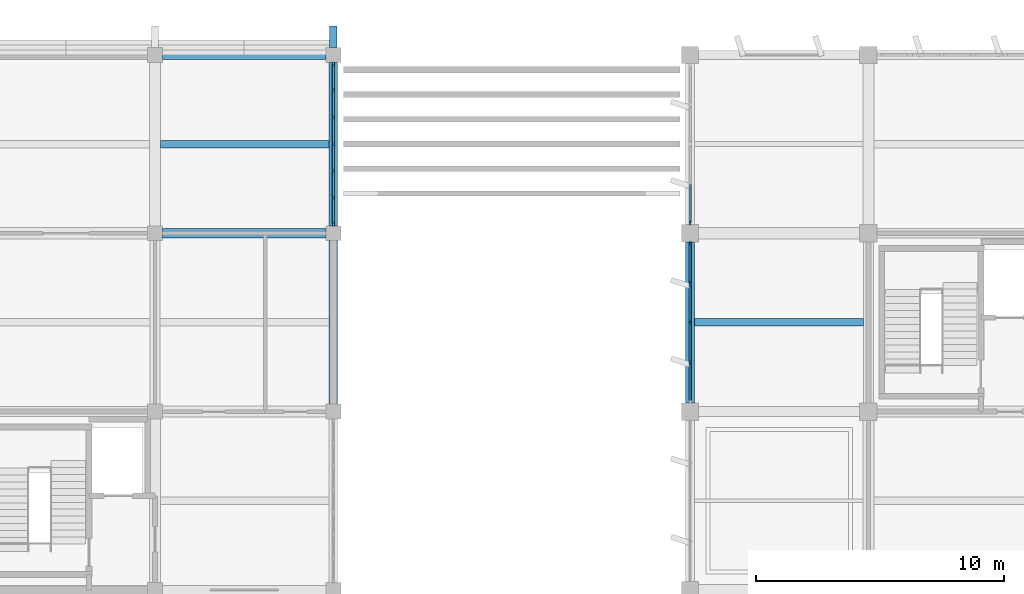
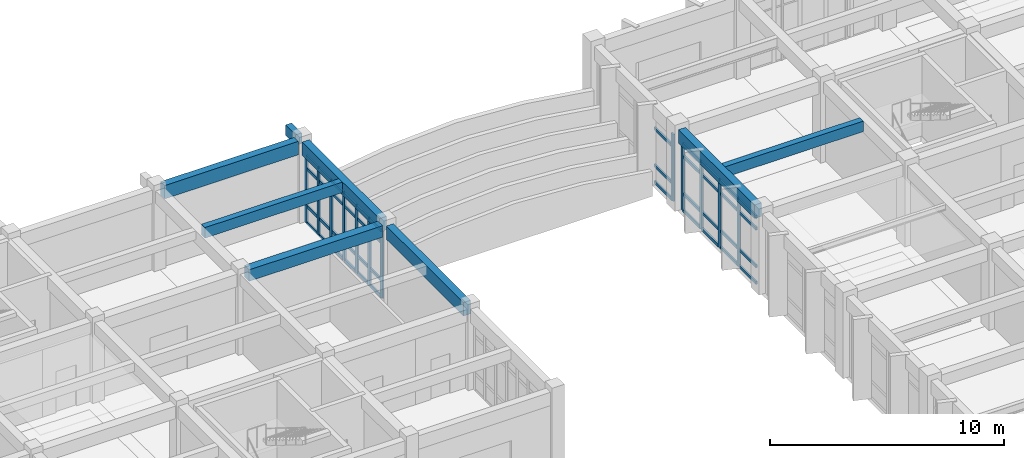
# One storey, part 26 of 81: 55 members, 8 beams, 3 elements without a shape of their own.
"""IFC4 building model written with IfcOpenShell, lengths in metres."""

from ifc_helpers import new_model, si_unit, direction, frame, origin, origin_2d, place, context, subcontext, project, spatial, rectangle, extrude, material, layer, layer_set, material_profile, profile_set, type_object, element, aggregate, save


model = new_model("IFC4")

# Units and contexts
model_context = context("Model", 3, precision=1e-05, world=origin(), true_north=direction((0.0, 1.0)))
body_context = subcontext(model_context, "Body", "Model", "MODEL_VIEW")
ifc_project = project(units=[si_unit("LENGTHUNIT", "METRE"), si_unit("AREAUNIT", "SQUARE_METRE"), si_unit("VOLUMEUNIT", "CUBIC_METRE"), si_unit("PLANEANGLEUNIT", "RADIAN"), si_unit("MASSUNIT", "GRAM", prefix="KILO")], contexts=[model_context])

# Site, building, storey
site_placement = place(None, origin())
site = spatial("IfcSite", under=ifc_project, at=site_placement, CompositionType="ELEMENT")
building_placement = place(site_placement, origin())
building = spatial("IfcBuilding", under=site, at=building_placement, Name="Kavelor Marine Aquarium", CompositionType="ELEMENT")
storey_placement = place(building_placement, frame((0.0, 0.0, 4.679931640625)))
storey = spatial("IfcBuildingStorey", under=building, at=storey_placement, Name="L01", CompositionType="ELEMENT", Elevation=4.679931640625)

# Beams
ifc_material_1 = material(Name="Concrete C40/50", Category="concrete")
ifc_material_profile_1 = material_profile(ifc_material_1, rectangle(XDim=0.39990234375, YDim=0.60009765625, at=origin_2d()), Name="RC-BM 400x600")
ifc_profile_set_1 = profile_set([ifc_material_profile_1], Name="Concrete C40/50")
beam_type_1 = type_object("IfcBeamType", Name="BM-B4", PredefinedType="BEAM", material=ifc_profile_set_1)
beam_1_placement = place(storey_placement, frame((97.10009765625, 103.60009765625, 3.900146484375), z_axis=(1.0, 0.0, 0.0), x_axis=(0.0, 1.0, 0.0)))
element("IfcBeam", 1, at=beam_1_placement, inside=storey, type_object=beam_type_1, Name="bm:x:L01:L02:13_14", PredefinedType="BEAM", context=body_context, shape_type="SweptSolid", body=[
    extrude(rectangle(XDim=0.39990234375, YDim=0.60009765625, at=origin_2d()), origin(), (0.0, 0.0, 1.0), 6.599853515625),
])
ifc_material_2 = material(Name="Concrete C40/50", Category="concrete")
ifc_material_profile_2 = material_profile(ifc_material_2, rectangle(XDim=0.300048828125, YDim=0.550048828125, at=origin_2d()), Name="RC-JS 300x550")
ifc_profile_set_2 = profile_set([ifc_material_profile_2], Name="Concrete C40/50")
beam_type_2 = type_object("IfcBeamType", Name="BM-JS2", PredefinedType="JOIST", material=ifc_profile_set_2)
beam_2_placement = place(storey_placement, frame((97.02490234375, 107.199951171875, 3.945068359375), z_axis=(1.0, 0.0, 0.0), x_axis=(0.0, 1.0, 0.0)))
element("IfcBeam", 2, at=beam_2_placement, inside=storey, type_object=beam_type_2, Name="js:L01:L02:13_14", PredefinedType="JOIST", context=body_context, shape_type="SweptSolid", body=[
    extrude(rectangle(XDim=0.300048828125, YDim=0.550048828125, at=origin_2d()), origin(), (0.0, 0.0, 1.0), 6.800048828125),
])
beam_3_placement = place(storey_placement, frame((118.574951171875, 100.0, 3.945068359375), z_axis=(1.0, 0.0, 0.0), x_axis=(0.0, 1.0, 0.0)))
element("IfcBeam", 3, at=beam_3_placement, inside=storey, type_object=beam_type_2, Name="js:L01:L02:16_13", PredefinedType="JOIST", context=body_context, shape_type="SweptSolid", body=[
    extrude(rectangle(XDim=0.300048828125, YDim=0.550048828125, at=origin_2d()), origin(), (0.0, 0.0, 1.0), 6.824951171875),
])
ifc_material_3 = material(Name="Concrete C40/50", Category="concrete")
ifc_material_profile_3 = material_profile(ifc_material_3, rectangle(XDim=0.35009765625, YDim=0.699951171875, at=origin_2d()), Name="RC-SP 350x700")
ifc_profile_set_3 = profile_set([ifc_material_profile_3], Name="Concrete C40/50")
beam_type_3 = type_object("IfcBeamType", Name="BM-SP1", PredefinedType="SPANDREL", material=ifc_profile_set_3)
beam_4_placement = place(storey_placement, frame((97.10009765625, 110.800048828125, 3.8701171875), z_axis=(1.0, 0.0, 0.0), x_axis=(0.0, 1.0, 0.0)))
element("IfcBeam", 4, at=beam_4_placement, inside=storey, type_object=beam_type_3, Name="bm:x:L01:L02:13_15", PredefinedType="SPANDREL", context=body_context, shape_type="SweptSolid", body=[
    extrude(rectangle(XDim=0.35009765625, YDim=0.699951171875, at=origin_2d()), origin(), (0.0, 0.0, 1.0), 6.599853515625),
])
for number, where, z_axis, x_axis, name in (
    (5, (104.0, 96.699951171875, 3.85009765625), (0.0, 1.0, 0.0), (-1.0, 0.0, 0.0), "bm:y:L01:L02:14_13"),
    (6, (104.0, 103.89990234375, 3.8701171875), (0.0, 1.0, 0.0), (-1.0, 0.0, 0.0), "bm:y:L01:L02:14_14"),
):
    element("IfcBeam", number, at=place(storey_placement, frame(where, z_axis=z_axis, x_axis=x_axis)), inside=storey, type_object=beam_type_3, Name=name, PredefinedType="SPANDREL", context=body_context, shape_type="SweptSolid", body=[
        extrude(rectangle(XDim=0.35009765625, YDim=0.699951171875, at=origin_2d()), origin(), (0.0, 0.0, 1.0), 6.60009765625),
    ])
beam_5_placement = place(storey_placement, frame((118.39990234375, 96.75, 3.8701171875), z_axis=(0.0, 1.0, 0.0), x_axis=(-1.0, 0.0, 0.0)))
element("IfcBeam", 7, at=beam_5_placement, inside=storey, type_object=beam_type_3, Name="bm:y:L01:L02:16_13", PredefinedType="SPANDREL", context=body_context, shape_type="SweptSolid", body=[
    extrude(rectangle(XDim=0.35009765625, YDim=0.699951171875, at=origin_2d()), origin(), (0.0, 0.0, 1.0), 6.5),
])
ifc_material_4 = material(Name="Concrete C40/50", Category="concrete")
ifc_material_profile_4 = material_profile(ifc_material_4, rectangle(XDim=0.300048828125, YDim=0.550048828125, at=origin_2d()), Name="RC-SP 300x550")
ifc_profile_set_4 = profile_set([ifc_material_profile_4], Name="Concrete C40/50")
beam_type_4 = type_object("IfcBeamType", Name="BM-SP2", PredefinedType="SPANDREL", material=ifc_profile_set_4)
beam_6_placement = place(storey_placement, frame((104.0, 111.10009765625, 3.945068359375), z_axis=(0.0, 1.0, 0.0), x_axis=(-1.0, 0.0, 0.0)))
element("IfcBeam", 8, at=beam_6_placement, inside=storey, type_object=beam_type_4, Name="bm:out:n:L01:L02:14", PredefinedType="SPANDREL", context=body_context, shape_type="SweptSolid", body=[
    extrude(rectangle(XDim=0.300048828125, YDim=0.550048828125, at=origin_2d()), origin(), (0.0, 0.0, 1.0), 0.85986328125),
])

# Curtain wall, members
ifc_material_5 = material(Name="Thermally Broken Aluminium and Low-E Glass", Category="aluminium")
ifc_layer_1 = layer(ifc_material_5, 0.251953125)
ifc_layer_set_1 = layer_set([ifc_layer_1], Name="CW-SYS14")
curtain_wall_type_1 = type_object("IfcCurtainWallType", Name="CW-SYS14", PredefinedType="USERDEFINED", material=ifc_layer_set_1)
curtain_wall_1_placement = place(storey_placement, origin())
curtain_wall_1 = element("IfcCurtainWall", 9, at=curtain_wall_1_placement, inside=storey, type_object=curtain_wall_type_1, Name="cw:y:L01:16_13", ObjectType="Curtain Wall", PredefinedType="USERDEFINED")
ifc_material_6 = material(Name="Anodised Aluminium Alloy 6063-T6", Category="aluminium")
ifc_material_profile_5 = material_profile(ifc_material_6, rectangle(XDim=0.080078125, YDim=0.18505859375, at=origin_2d()), Name="CW-MUL 80x185")
ifc_profile_set_5 = profile_set([ifc_material_profile_5], Name="Anodised Aluminium Alloy 6063-T6")
member_type_1 = type_object("IfcMemberType", Name="CWM-2", PredefinedType="MULLION", material=ifc_profile_set_5)
member_1_placement = place(storey_placement, frame((118.39990234375, 103.172607421875, 0.0), z_axis=(0.0, 0.0, 1.0), x_axis=(1.0, 0.0, 0.0)))
member_1 = element("IfcMember", 10, at=member_1_placement, type_object=member_type_1, Name="CW14 mullion 1", PredefinedType="MULLION", context=body_context, shape_type="SweptSolid", body=[
    extrude(rectangle(XDim=0.080078125, YDim=0.18505859375, at=origin_2d()), origin(), (0.0, 0.0, 1.0), 3.510009765625),
])
member_2_placement = place(storey_placement, frame((118.39990234375, 101.6025390625, 0.0), z_axis=(0.0, 0.0, 1.0), x_axis=(1.0, 0.0, 0.0)))
member_2 = element("IfcMember", 11, at=member_2_placement, type_object=member_type_1, Name="CW14 mullion 2", PredefinedType="MULLION", context=body_context, shape_type="SweptSolid", body=[
    extrude(rectangle(XDim=0.080078125, YDim=0.18505859375, at=origin_2d()), origin(), (0.0, 0.0, 1.0), 3.510009765625),
])
member_3_placement = place(storey_placement, frame((118.39990234375, 100.0, 0.0), z_axis=(0.0, 0.0, 1.0), x_axis=(1.0, 0.0, 0.0)))
member_3 = element("IfcMember", 12, at=member_3_placement, type_object=member_type_1, Name="CW14 mullion 3", PredefinedType="MULLION", context=body_context, shape_type="SweptSolid", body=[
    extrude(rectangle(XDim=0.080078125, YDim=0.18505859375, at=origin_2d()), origin(), (0.0, 0.0, 1.0), 3.510009765625),
])
member_4_placement = place(storey_placement, frame((118.39990234375, 98.3974609375, 0.0), z_axis=(0.0, 0.0, 1.0), x_axis=(1.0, 0.0, 0.0)))
member_4 = element("IfcMember", 13, at=member_4_placement, type_object=member_type_1, Name="CW14 mullion 4", PredefinedType="MULLION", context=body_context, shape_type="SweptSolid", body=[
    extrude(rectangle(XDim=0.080078125, YDim=0.18505859375, at=origin_2d()), origin(), (0.0, 0.0, 1.0), 3.510009765625),
])

ifc_material_7 = material(Name="Thermally Broken Aluminium and Low-E Glass", Category="aluminium")
ifc_layer_2 = layer(ifc_material_7, 0.1640625)
ifc_layer_set_2 = layer_set([ifc_layer_2], Name="CW-SYS3")
curtain_wall_type_2 = type_object("IfcCurtainWallType", Name="CW-SYS3", PredefinedType="USERDEFINED", material=ifc_layer_set_2)
curtain_wall_2_placement = place(storey_placement, origin())
curtain_wall_2 = element("IfcCurtainWall", 14, at=curtain_wall_2_placement, inside=storey, type_object=curtain_wall_type_2, Name="cw:y:L01:14_14", ObjectType="Curtain Wall", PredefinedType="USERDEFINED")
ifc_material_8 = material(Name="Anodised Aluminium Alloy 6063-T6", Category="aluminium")
ifc_material_profile_6 = material_profile(ifc_material_8, rectangle(XDim=0.0849609375, YDim=0.18994140625, at=origin_2d()), Name="CW-MUL 85x190")
ifc_profile_set_6 = profile_set([ifc_material_profile_6], Name="Anodised Aluminium Alloy 6063-T6")
member_type_2 = type_object("IfcMemberType", Name="CWM-3", PredefinedType="MULLION", material=ifc_profile_set_6)
member_5_placement = place(storey_placement, frame((104.0, 103.97509765625, 0.0), z_axis=(0.0, 0.0, 1.0), x_axis=(-1.0, 0.0, 0.0)))
member_5 = element("IfcMember", 15, at=member_5_placement, type_object=member_type_2, Name="CW03 mullion 1", PredefinedType="MULLION", context=body_context, shape_type="SweptSolid", body=[
    extrude(rectangle(XDim=0.0849609375, YDim=0.18994140625, at=origin_2d()), origin(), (0.0, 0.0, 1.0), 3.510009765625),
])
member_6_placement = place(storey_placement, frame((104.0, 105.030029296875, 0.0), z_axis=(0.0, 0.0, 1.0), x_axis=(-1.0, 0.0, 0.0)))
member_6 = element("IfcMember", 16, at=member_6_placement, type_object=member_type_2, Name="CW03 mullion 2", PredefinedType="MULLION", context=body_context, shape_type="SweptSolid", body=[
    extrude(rectangle(XDim=0.0849609375, YDim=0.18994140625, at=origin_2d()), origin(), (0.0, 0.0, 1.0), 3.510009765625),
])
member_7_placement = place(storey_placement, frame((104.0, 106.114990234375, 0.0), z_axis=(0.0, 0.0, 1.0), x_axis=(-1.0, 0.0, 0.0)))
member_7 = element("IfcMember", 17, at=member_7_placement, type_object=member_type_2, Name="CW03 mullion 3", PredefinedType="MULLION", context=body_context, shape_type="SweptSolid", body=[
    extrude(rectangle(XDim=0.0849609375, YDim=0.18994140625, at=origin_2d()), origin(), (0.0, 0.0, 1.0), 3.510009765625),
])
member_8_placement = place(storey_placement, frame((104.0, 107.199951171875, 0.0), z_axis=(0.0, 0.0, 1.0), x_axis=(-1.0, 0.0, 0.0)))
member_8 = element("IfcMember", 18, at=member_8_placement, type_object=member_type_2, Name="CW03 mullion 4", PredefinedType="MULLION", context=body_context, shape_type="SweptSolid", body=[
    extrude(rectangle(XDim=0.0849609375, YDim=0.18994140625, at=origin_2d()), origin(), (0.0, 0.0, 1.0), 3.510009765625),
])
member_9_placement = place(storey_placement, frame((104.0, 108.284912109375, 0.0), z_axis=(0.0, 0.0, 1.0), x_axis=(-1.0, 0.0, 0.0)))
member_9 = element("IfcMember", 19, at=member_9_placement, type_object=member_type_2, Name="CW03 mullion 5", PredefinedType="MULLION", context=body_context, shape_type="SweptSolid", body=[
    extrude(rectangle(XDim=0.0849609375, YDim=0.18994140625, at=origin_2d()), origin(), (0.0, 0.0, 1.0), 3.510009765625),
])
member_10_placement = place(storey_placement, frame((104.0, 109.3701171875, 0.0), z_axis=(0.0, 0.0, 1.0), x_axis=(-1.0, 0.0, 0.0)))
member_10 = element("IfcMember", 20, at=member_10_placement, type_object=member_type_2, Name="CW03 mullion 6", PredefinedType="MULLION", context=body_context, shape_type="SweptSolid", body=[
    extrude(rectangle(XDim=0.0849609375, YDim=0.18994140625, at=origin_2d()), origin(), (0.0, 0.0, 1.0), 3.510009765625),
])
member_11_placement = place(storey_placement, frame((104.0, 110.425048828125, 0.0), z_axis=(0.0, 0.0, 1.0), x_axis=(-1.0, 0.0, 0.0)))
member_11 = element("IfcMember", 21, at=member_11_placement, type_object=member_type_2, Name="CW03 mullion 7", PredefinedType="MULLION", context=body_context, shape_type="SweptSolid", body=[
    extrude(rectangle(XDim=0.0849609375, YDim=0.18994140625, at=origin_2d()), origin(), (0.0, 0.0, 1.0), 3.510009765625),
])

# Curtain wall, member
ifc_material_9 = material(Name="Thermally Broken Aluminium and Low-E Glass", Category="aluminium")
ifc_layer_3 = layer(ifc_material_9, 0.260009765625)
ifc_layer_set_3 = layer_set([ifc_layer_3], Name="CW-SYS15")
curtain_wall_type_3 = type_object("IfcCurtainWallType", Name="CW-SYS15", PredefinedType="USERDEFINED", material=ifc_layer_set_3)
curtain_wall_3_placement = place(storey_placement, origin())
curtain_wall_3 = element("IfcCurtainWall", 22, at=curtain_wall_3_placement, inside=storey, type_object=curtain_wall_type_3, Name="cw:y:L01:16_14", ObjectType="Curtain Wall", PredefinedType="USERDEFINED")
member_12_placement = place(storey_placement, frame((118.39990234375, 104.02490234375, 0.0), z_axis=(0.0, 0.0, 1.0), x_axis=(1.0, 0.0, 0.0)))
member_12 = element("IfcMember", 23, at=member_12_placement, type_object=member_type_2, Name="CW15 mullion 5", PredefinedType="MULLION", context=body_context, shape_type="SweptSolid", body=[
    extrude(rectangle(XDim=0.0849609375, YDim=0.18994140625, at=origin_2d()), origin(), (0.0, 0.0, 1.0), 3.489990234375),
])

# Member
ifc_material_10 = material(Name="Anodised Aluminium Alloy 6063-T6", Category="aluminium")
ifc_material_profile_7 = material_profile(ifc_material_10, rectangle(XDim=0.080078125, YDim=0.155029296875, at=origin_2d()), Name="CW-TRN 80x155")
ifc_profile_set_7 = profile_set([ifc_material_profile_7], Name="Anodised Aluminium Alloy 6063-T6")
member_type_3 = type_object("IfcMemberType", Name="CWT-2", PredefinedType="USERDEFINED", material=ifc_profile_set_7)
member_13_placement = place(storey_placement, frame((104.0, 104.0048828125, 0.032470703125), z_axis=(0.0, 1.0, 0.0), x_axis=(-1.0, 0.0, 0.0)))
member_13 = element("IfcMember", 24, at=member_13_placement, type_object=member_type_3, Name="CW03 transom 1.1", ObjectType="TRANSOM", PredefinedType="USERDEFINED", context=body_context, shape_type="SweptSolid", body=[
    extrude(rectangle(XDim=0.080078125, YDim=0.155029296875, at=origin_2d()), origin(), (0.0, 0.0, 1.0), 0.9951171875),
])

member_14_placement = place(storey_placement, frame((104.0, 104.0048828125, 0.900146484375), z_axis=(0.0, 1.0, 0.0), x_axis=(-1.0, 0.0, 0.0)))
member_14 = element("IfcMember", 25, at=member_14_placement, type_object=member_type_3, Name="CW03 transom 1.2", ObjectType="TRANSOM", PredefinedType="USERDEFINED", context=body_context, shape_type="SweptSolid", body=[
    extrude(rectangle(XDim=0.080078125, YDim=0.155029296875, at=origin_2d()), origin(), (0.0, 0.0, 1.0), 0.9951171875),
])

member_15_placement = place(storey_placement, frame((104.0, 104.0048828125, 2.860107421875), z_axis=(0.0, 1.0, 0.0), x_axis=(-1.0, 0.0, 0.0)))
member_15 = element("IfcMember", 26, at=member_15_placement, type_object=member_type_3, Name="CW03 transom 1.3", ObjectType="TRANSOM", PredefinedType="USERDEFINED", context=body_context, shape_type="SweptSolid", body=[
    extrude(rectangle(XDim=0.080078125, YDim=0.155029296875, at=origin_2d()), origin(), (0.0, 0.0, 1.0), 0.9951171875),
])

member_16_placement = place(storey_placement, frame((104.0, 104.0048828125, 3.4775390625), z_axis=(0.0, 1.0, 0.0), x_axis=(-1.0, 0.0, 0.0)))
member_16 = element("IfcMember", 27, at=member_16_placement, type_object=member_type_3, Name="CW03 transom 1.4", ObjectType="TRANSOM", PredefinedType="USERDEFINED", context=body_context, shape_type="SweptSolid", body=[
    extrude(rectangle(XDim=0.080078125, YDim=0.155029296875, at=origin_2d()), origin(), (0.0, 0.0, 1.0), 0.9951171875),
])

member_17_placement = place(storey_placement, frame((104.0, 105.06005859375, 0.032470703125), z_axis=(0.0, 1.0, 0.0), x_axis=(-1.0, 0.0, 0.0)))
member_17 = element("IfcMember", 28, at=member_17_placement, type_object=member_type_3, Name="CW03 transom 2.1", ObjectType="TRANSOM", PredefinedType="USERDEFINED", context=body_context, shape_type="SweptSolid", body=[
    extrude(rectangle(XDim=0.080078125, YDim=0.155029296875, at=origin_2d()), origin(), (0.0, 0.0, 1.0), 1.02490234375),
])

member_18_placement = place(storey_placement, frame((104.0, 105.06005859375, 0.900146484375), z_axis=(0.0, 1.0, 0.0), x_axis=(-1.0, 0.0, 0.0)))
member_18 = element("IfcMember", 29, at=member_18_placement, type_object=member_type_3, Name="CW03 transom 2.2", ObjectType="TRANSOM", PredefinedType="USERDEFINED", context=body_context, shape_type="SweptSolid", body=[
    extrude(rectangle(XDim=0.080078125, YDim=0.155029296875, at=origin_2d()), origin(), (0.0, 0.0, 1.0), 1.02490234375),
])

member_19_placement = place(storey_placement, frame((104.0, 105.06005859375, 2.860107421875), z_axis=(0.0, 1.0, 0.0), x_axis=(-1.0, 0.0, 0.0)))
member_19 = element("IfcMember", 30, at=member_19_placement, type_object=member_type_3, Name="CW03 transom 2.3", ObjectType="TRANSOM", PredefinedType="USERDEFINED", context=body_context, shape_type="SweptSolid", body=[
    extrude(rectangle(XDim=0.080078125, YDim=0.155029296875, at=origin_2d()), origin(), (0.0, 0.0, 1.0), 1.02490234375),
])

member_20_placement = place(storey_placement, frame((104.0, 105.06005859375, 3.4775390625), z_axis=(0.0, 1.0, 0.0), x_axis=(-1.0, 0.0, 0.0)))
member_20 = element("IfcMember", 31, at=member_20_placement, type_object=member_type_3, Name="CW03 transom 2.4", ObjectType="TRANSOM", PredefinedType="USERDEFINED", context=body_context, shape_type="SweptSolid", body=[
    extrude(rectangle(XDim=0.080078125, YDim=0.155029296875, at=origin_2d()), origin(), (0.0, 0.0, 1.0), 1.02490234375),
])

member_21_placement = place(storey_placement, frame((104.0, 106.14501953125, 0.032470703125), z_axis=(0.0, 1.0, 0.0), x_axis=(-1.0, 0.0, 0.0)))
member_21 = element("IfcMember", 32, at=member_21_placement, type_object=member_type_3, Name="CW03 transom 3.1", ObjectType="TRANSOM", PredefinedType="USERDEFINED", context=body_context, shape_type="SweptSolid", body=[
    extrude(rectangle(XDim=0.080078125, YDim=0.155029296875, at=origin_2d()), origin(), (0.0, 0.0, 1.0), 1.02490234375),
])

member_22_placement = place(storey_placement, frame((104.0, 106.14501953125, 0.900146484375), z_axis=(0.0, 1.0, 0.0), x_axis=(-1.0, 0.0, 0.0)))
member_22 = element("IfcMember", 33, at=member_22_placement, type_object=member_type_3, Name="CW03 transom 3.2", ObjectType="TRANSOM", PredefinedType="USERDEFINED", context=body_context, shape_type="SweptSolid", body=[
    extrude(rectangle(XDim=0.080078125, YDim=0.155029296875, at=origin_2d()), origin(), (0.0, 0.0, 1.0), 1.02490234375),
])

member_23_placement = place(storey_placement, frame((104.0, 106.14501953125, 2.860107421875), z_axis=(0.0, 1.0, 0.0), x_axis=(-1.0, 0.0, 0.0)))
member_23 = element("IfcMember", 34, at=member_23_placement, type_object=member_type_3, Name="CW03 transom 3.3", ObjectType="TRANSOM", PredefinedType="USERDEFINED", context=body_context, shape_type="SweptSolid", body=[
    extrude(rectangle(XDim=0.080078125, YDim=0.155029296875, at=origin_2d()), origin(), (0.0, 0.0, 1.0), 1.02490234375),
])

member_24_placement = place(storey_placement, frame((104.0, 106.14501953125, 3.4775390625), z_axis=(0.0, 1.0, 0.0), x_axis=(-1.0, 0.0, 0.0)))
member_24 = element("IfcMember", 35, at=member_24_placement, type_object=member_type_3, Name="CW03 transom 3.4", ObjectType="TRANSOM", PredefinedType="USERDEFINED", context=body_context, shape_type="SweptSolid", body=[
    extrude(rectangle(XDim=0.080078125, YDim=0.155029296875, at=origin_2d()), origin(), (0.0, 0.0, 1.0), 1.02490234375),
])

member_25_placement = place(storey_placement, frame((104.0, 107.22998046875, 0.032470703125), z_axis=(0.0, 1.0, 0.0), x_axis=(-1.0, 0.0, 0.0)))
member_25 = element("IfcMember", 36, at=member_25_placement, type_object=member_type_3, Name="CW03 transom 4.1", ObjectType="TRANSOM", PredefinedType="USERDEFINED", context=body_context, shape_type="SweptSolid", body=[
    extrude(rectangle(XDim=0.080078125, YDim=0.155029296875, at=origin_2d()), origin(), (0.0, 0.0, 1.0), 1.02490234375),
])

member_26_placement = place(storey_placement, frame((104.0, 107.22998046875, 0.900146484375), z_axis=(0.0, 1.0, 0.0), x_axis=(-1.0, 0.0, 0.0)))
member_26 = element("IfcMember", 37, at=member_26_placement, type_object=member_type_3, Name="CW03 transom 4.2", ObjectType="TRANSOM", PredefinedType="USERDEFINED", context=body_context, shape_type="SweptSolid", body=[
    extrude(rectangle(XDim=0.080078125, YDim=0.155029296875, at=origin_2d()), origin(), (0.0, 0.0, 1.0), 1.02490234375),
])

member_27_placement = place(storey_placement, frame((104.0, 107.22998046875, 2.860107421875), z_axis=(0.0, 1.0, 0.0), x_axis=(-1.0, 0.0, 0.0)))
member_27 = element("IfcMember", 38, at=member_27_placement, type_object=member_type_3, Name="CW03 transom 4.3", ObjectType="TRANSOM", PredefinedType="USERDEFINED", context=body_context, shape_type="SweptSolid", body=[
    extrude(rectangle(XDim=0.080078125, YDim=0.155029296875, at=origin_2d()), origin(), (0.0, 0.0, 1.0), 1.02490234375),
])

member_28_placement = place(storey_placement, frame((104.0, 107.22998046875, 3.4775390625), z_axis=(0.0, 1.0, 0.0), x_axis=(-1.0, 0.0, 0.0)))
member_28 = element("IfcMember", 39, at=member_28_placement, type_object=member_type_3, Name="CW03 transom 4.4", ObjectType="TRANSOM", PredefinedType="USERDEFINED", context=body_context, shape_type="SweptSolid", body=[
    extrude(rectangle(XDim=0.080078125, YDim=0.155029296875, at=origin_2d()), origin(), (0.0, 0.0, 1.0), 1.02490234375),
])

member_29_placement = place(storey_placement, frame((104.0, 108.31494140625, 0.032470703125), z_axis=(0.0, 1.0, 0.0), x_axis=(-1.0, 0.0, 0.0)))
member_29 = element("IfcMember", 40, at=member_29_placement, type_object=member_type_3, Name="CW03 transom 5.1", ObjectType="TRANSOM", PredefinedType="USERDEFINED", context=body_context, shape_type="SweptSolid", body=[
    extrude(rectangle(XDim=0.080078125, YDim=0.155029296875, at=origin_2d()), origin(), (0.0, 0.0, 1.0), 1.025146484375),
])

member_30_placement = place(storey_placement, frame((104.0, 108.31494140625, 0.900146484375), z_axis=(0.0, 1.0, 0.0), x_axis=(-1.0, 0.0, 0.0)))
member_30 = element("IfcMember", 41, at=member_30_placement, type_object=member_type_3, Name="CW03 transom 5.2", ObjectType="TRANSOM", PredefinedType="USERDEFINED", context=body_context, shape_type="SweptSolid", body=[
    extrude(rectangle(XDim=0.080078125, YDim=0.155029296875, at=origin_2d()), origin(), (0.0, 0.0, 1.0), 1.025146484375),
])

member_31_placement = place(storey_placement, frame((104.0, 108.31494140625, 2.860107421875), z_axis=(0.0, 1.0, 0.0), x_axis=(-1.0, 0.0, 0.0)))
member_31 = element("IfcMember", 42, at=member_31_placement, type_object=member_type_3, Name="CW03 transom 5.3", ObjectType="TRANSOM", PredefinedType="USERDEFINED", context=body_context, shape_type="SweptSolid", body=[
    extrude(rectangle(XDim=0.080078125, YDim=0.155029296875, at=origin_2d()), origin(), (0.0, 0.0, 1.0), 1.025146484375),
])

member_32_placement = place(storey_placement, frame((104.0, 108.31494140625, 3.4775390625), z_axis=(0.0, 1.0, 0.0), x_axis=(-1.0, 0.0, 0.0)))
member_32 = element("IfcMember", 43, at=member_32_placement, type_object=member_type_3, Name="CW03 transom 5.4", ObjectType="TRANSOM", PredefinedType="USERDEFINED", context=body_context, shape_type="SweptSolid", body=[
    extrude(rectangle(XDim=0.080078125, YDim=0.155029296875, at=origin_2d()), origin(), (0.0, 0.0, 1.0), 1.025146484375),
])

member_33_placement = place(storey_placement, frame((104.0, 109.39990234375, 0.032470703125), z_axis=(0.0, 1.0, 0.0), x_axis=(-1.0, 0.0, 0.0)))
member_33 = element("IfcMember", 44, at=member_33_placement, type_object=member_type_3, Name="CW03 transom 6.1", ObjectType="TRANSOM", PredefinedType="USERDEFINED", context=body_context, shape_type="SweptSolid", body=[
    extrude(rectangle(XDim=0.080078125, YDim=0.155029296875, at=origin_2d()), origin(), (0.0, 0.0, 1.0), 0.9951171875),
])

member_34_placement = place(storey_placement, frame((104.0, 109.39990234375, 0.900146484375), z_axis=(0.0, 1.0, 0.0), x_axis=(-1.0, 0.0, 0.0)))
member_34 = element("IfcMember", 45, at=member_34_placement, type_object=member_type_3, Name="CW03 transom 6.2", ObjectType="TRANSOM", PredefinedType="USERDEFINED", context=body_context, shape_type="SweptSolid", body=[
    extrude(rectangle(XDim=0.080078125, YDim=0.155029296875, at=origin_2d()), origin(), (0.0, 0.0, 1.0), 0.9951171875),
])

member_35_placement = place(storey_placement, frame((104.0, 109.39990234375, 2.860107421875), z_axis=(0.0, 1.0, 0.0), x_axis=(-1.0, 0.0, 0.0)))
member_35 = element("IfcMember", 46, at=member_35_placement, type_object=member_type_3, Name="CW03 transom 6.3", ObjectType="TRANSOM", PredefinedType="USERDEFINED", context=body_context, shape_type="SweptSolid", body=[
    extrude(rectangle(XDim=0.080078125, YDim=0.155029296875, at=origin_2d()), origin(), (0.0, 0.0, 1.0), 0.9951171875),
])

member_36_placement = place(storey_placement, frame((104.0, 109.39990234375, 3.4775390625), z_axis=(0.0, 1.0, 0.0), x_axis=(-1.0, 0.0, 0.0)))
member_36 = element("IfcMember", 47, at=member_36_placement, type_object=member_type_3, Name="CW03 transom 6.4", ObjectType="TRANSOM", PredefinedType="USERDEFINED", context=body_context, shape_type="SweptSolid", body=[
    extrude(rectangle(XDim=0.080078125, YDim=0.155029296875, at=origin_2d()), origin(), (0.0, 0.0, 1.0), 0.9951171875),
])

aggregate(curtain_wall_2, [member_5, member_6, member_7, member_8, member_9, member_10, member_11, member_13, member_14, member_15, member_16, member_17, member_18, member_19, member_20, member_21, member_22, member_23, member_24, member_25, member_26, member_27, member_28, member_29, member_30, member_31, member_32, member_33, member_34, member_35, member_36])

member_37_placement = place(storey_placement, frame((118.39990234375, 103.139892578125, 0.032470703125), z_axis=(0.0, -1.0, 0.0), x_axis=(1.0, 0.0, 0.0)))
member_37 = element("IfcMember", 48, at=member_37_placement, type_object=member_type_3, Name="CW14 transom 1.1", ObjectType="TRANSOM", PredefinedType="USERDEFINED", context=body_context, shape_type="SweptSolid", body=[
    extrude(rectangle(XDim=0.080078125, YDim=0.155029296875, at=origin_2d()), origin(), (0.0, 0.0, 1.0), 1.5048828125),
])

member_38_placement = place(storey_placement, frame((118.39990234375, 103.139892578125, 0.900146484375), z_axis=(0.0, -1.0, 0.0), x_axis=(1.0, 0.0, 0.0)))
member_38 = element("IfcMember", 49, at=member_38_placement, type_object=member_type_3, Name="CW14 transom 1.2", ObjectType="TRANSOM", PredefinedType="USERDEFINED", context=body_context, shape_type="SweptSolid", body=[
    extrude(rectangle(XDim=0.080078125, YDim=0.155029296875, at=origin_2d()), origin(), (0.0, 0.0, 1.0), 1.5048828125),
])

member_39_placement = place(storey_placement, frame((118.39990234375, 103.139892578125, 2.860107421875), z_axis=(0.0, -1.0, 0.0), x_axis=(1.0, 0.0, 0.0)))
member_39 = element("IfcMember", 50, at=member_39_placement, type_object=member_type_3, Name="CW14 transom 1.3", ObjectType="TRANSOM", PredefinedType="USERDEFINED", context=body_context, shape_type="SweptSolid", body=[
    extrude(rectangle(XDim=0.080078125, YDim=0.155029296875, at=origin_2d()), origin(), (0.0, 0.0, 1.0), 1.5048828125),
])

member_40_placement = place(storey_placement, frame((118.39990234375, 103.139892578125, 3.4775390625), z_axis=(0.0, -1.0, 0.0), x_axis=(1.0, 0.0, 0.0)))
member_40 = element("IfcMember", 51, at=member_40_placement, type_object=member_type_3, Name="CW14 transom 1.4", ObjectType="TRANSOM", PredefinedType="USERDEFINED", context=body_context, shape_type="SweptSolid", body=[
    extrude(rectangle(XDim=0.080078125, YDim=0.155029296875, at=origin_2d()), origin(), (0.0, 0.0, 1.0), 1.5048828125),
])

member_41_placement = place(storey_placement, frame((118.39990234375, 101.570068359375, 0.032470703125), z_axis=(0.0, -1.0, 0.0), x_axis=(1.0, 0.0, 0.0)))
member_41 = element("IfcMember", 52, at=member_41_placement, type_object=member_type_3, Name="CW14 transom 2.1", ObjectType="TRANSOM", PredefinedType="USERDEFINED", context=body_context, shape_type="SweptSolid", body=[
    extrude(rectangle(XDim=0.080078125, YDim=0.155029296875, at=origin_2d()), origin(), (0.0, 0.0, 1.0), 1.53759765625),
])

member_42_placement = place(storey_placement, frame((118.39990234375, 101.570068359375, 0.900146484375), z_axis=(0.0, -1.0, 0.0), x_axis=(1.0, 0.0, 0.0)))
member_42 = element("IfcMember", 53, at=member_42_placement, type_object=member_type_3, Name="CW14 transom 2.2", ObjectType="TRANSOM", PredefinedType="USERDEFINED", context=body_context, shape_type="SweptSolid", body=[
    extrude(rectangle(XDim=0.080078125, YDim=0.155029296875, at=origin_2d()), origin(), (0.0, 0.0, 1.0), 1.53759765625),
])

member_43_placement = place(storey_placement, frame((118.39990234375, 101.570068359375, 2.860107421875), z_axis=(0.0, -1.0, 0.0), x_axis=(1.0, 0.0, 0.0)))
member_43 = element("IfcMember", 54, at=member_43_placement, type_object=member_type_3, Name="CW14 transom 2.3", ObjectType="TRANSOM", PredefinedType="USERDEFINED", context=body_context, shape_type="SweptSolid", body=[
    extrude(rectangle(XDim=0.080078125, YDim=0.155029296875, at=origin_2d()), origin(), (0.0, 0.0, 1.0), 1.53759765625),
])

member_44_placement = place(storey_placement, frame((118.39990234375, 101.570068359375, 3.4775390625), z_axis=(0.0, -1.0, 0.0), x_axis=(1.0, 0.0, 0.0)))
member_44 = element("IfcMember", 55, at=member_44_placement, type_object=member_type_3, Name="CW14 transom 2.4", ObjectType="TRANSOM", PredefinedType="USERDEFINED", context=body_context, shape_type="SweptSolid", body=[
    extrude(rectangle(XDim=0.080078125, YDim=0.155029296875, at=origin_2d()), origin(), (0.0, 0.0, 1.0), 1.53759765625),
])

member_45_placement = place(storey_placement, frame((118.39990234375, 99.967529296875, 0.032470703125), z_axis=(0.0, -1.0, 0.0), x_axis=(1.0, 0.0, 0.0)))
member_45 = element("IfcMember", 56, at=member_45_placement, type_object=member_type_3, Name="CW14 transom 3.1", ObjectType="TRANSOM", PredefinedType="USERDEFINED", context=body_context, shape_type="SweptSolid", body=[
    extrude(rectangle(XDim=0.080078125, YDim=0.155029296875, at=origin_2d()), origin(), (0.0, 0.0, 1.0), 1.53759765625),
])

member_46_placement = place(storey_placement, frame((118.39990234375, 99.967529296875, 0.900146484375), z_axis=(0.0, -1.0, 0.0), x_axis=(1.0, 0.0, 0.0)))
member_46 = element("IfcMember", 57, at=member_46_placement, type_object=member_type_3, Name="CW14 transom 3.2", ObjectType="TRANSOM", PredefinedType="USERDEFINED", context=body_context, shape_type="SweptSolid", body=[
    extrude(rectangle(XDim=0.080078125, YDim=0.155029296875, at=origin_2d()), origin(), (0.0, 0.0, 1.0), 1.53759765625),
])

member_47_placement = place(storey_placement, frame((118.39990234375, 99.967529296875, 2.860107421875), z_axis=(0.0, -1.0, 0.0), x_axis=(1.0, 0.0, 0.0)))
member_47 = element("IfcMember", 58, at=member_47_placement, type_object=member_type_3, Name="CW14 transom 3.3", ObjectType="TRANSOM", PredefinedType="USERDEFINED", context=body_context, shape_type="SweptSolid", body=[
    extrude(rectangle(XDim=0.080078125, YDim=0.155029296875, at=origin_2d()), origin(), (0.0, 0.0, 1.0), 1.53759765625),
])

member_48_placement = place(storey_placement, frame((118.39990234375, 99.967529296875, 3.4775390625), z_axis=(0.0, -1.0, 0.0), x_axis=(1.0, 0.0, 0.0)))
member_48 = element("IfcMember", 59, at=member_48_placement, type_object=member_type_3, Name="CW14 transom 3.4", ObjectType="TRANSOM", PredefinedType="USERDEFINED", context=body_context, shape_type="SweptSolid", body=[
    extrude(rectangle(XDim=0.080078125, YDim=0.155029296875, at=origin_2d()), origin(), (0.0, 0.0, 1.0), 1.53759765625),
])

member_49_placement = place(storey_placement, frame((118.39990234375, 98.364990234375, 0.032470703125), z_axis=(0.0, -1.0, 0.0), x_axis=(1.0, 0.0, 0.0)))
member_49 = element("IfcMember", 60, at=member_49_placement, type_object=member_type_3, Name="CW14 transom 4.1", ObjectType="TRANSOM", PredefinedType="USERDEFINED", context=body_context, shape_type="SweptSolid", body=[
    extrude(rectangle(XDim=0.080078125, YDim=0.155029296875, at=origin_2d()), origin(), (0.0, 0.0, 1.0), 1.5048828125),
])

member_50_placement = place(storey_placement, frame((118.39990234375, 98.364990234375, 0.900146484375), z_axis=(0.0, -1.0, 0.0), x_axis=(1.0, 0.0, 0.0)))
member_50 = element("IfcMember", 61, at=member_50_placement, type_object=member_type_3, Name="CW14 transom 4.2", ObjectType="TRANSOM", PredefinedType="USERDEFINED", context=body_context, shape_type="SweptSolid", body=[
    extrude(rectangle(XDim=0.080078125, YDim=0.155029296875, at=origin_2d()), origin(), (0.0, 0.0, 1.0), 1.5048828125),
])

member_51_placement = place(storey_placement, frame((118.39990234375, 98.364990234375, 2.860107421875), z_axis=(0.0, -1.0, 0.0), x_axis=(1.0, 0.0, 0.0)))
member_51 = element("IfcMember", 62, at=member_51_placement, type_object=member_type_3, Name="CW14 transom 4.3", ObjectType="TRANSOM", PredefinedType="USERDEFINED", context=body_context, shape_type="SweptSolid", body=[
    extrude(rectangle(XDim=0.080078125, YDim=0.155029296875, at=origin_2d()), origin(), (0.0, 0.0, 1.0), 1.5048828125),
])

member_52_placement = place(storey_placement, frame((118.39990234375, 98.364990234375, 3.4775390625), z_axis=(0.0, -1.0, 0.0), x_axis=(1.0, 0.0, 0.0)))
member_52 = element("IfcMember", 63, at=member_52_placement, type_object=member_type_3, Name="CW14 transom 4.4", ObjectType="TRANSOM", PredefinedType="USERDEFINED", context=body_context, shape_type="SweptSolid", body=[
    extrude(rectangle(XDim=0.080078125, YDim=0.155029296875, at=origin_2d()), origin(), (0.0, 0.0, 1.0), 1.5048828125),
])

aggregate(curtain_wall_1, [member_1, member_2, member_3, member_4, member_37, member_38, member_39, member_40, member_41, member_42, member_43, member_44, member_45, member_46, member_47, member_48, member_49, member_50, member_51, member_52])

member_53_placement = place(storey_placement, frame((118.39990234375, 105.5673828125, 0.032470703125), z_axis=(0.0, -1.0, 0.0), x_axis=(1.0, 0.0, 0.0)))
member_53 = element("IfcMember", 64, at=member_53_placement, type_object=member_type_3, Name="CW15 transom 4.1", ObjectType="TRANSOM", PredefinedType="USERDEFINED", context=body_context, shape_type="SweptSolid", body=[
    extrude(rectangle(XDim=0.080078125, YDim=0.155029296875, at=origin_2d()), origin(), (0.0, 0.0, 1.0), 1.512451171875),
])

member_54_placement = place(storey_placement, frame((118.39990234375, 105.5673828125, 0.900146484375), z_axis=(0.0, -1.0, 0.0), x_axis=(1.0, 0.0, 0.0)))
member_54 = element("IfcMember", 65, at=member_54_placement, type_object=member_type_3, Name="CW15 transom 4.2", ObjectType="TRANSOM", PredefinedType="USERDEFINED", context=body_context, shape_type="SweptSolid", body=[
    extrude(rectangle(XDim=0.080078125, YDim=0.155029296875, at=origin_2d()), origin(), (0.0, 0.0, 1.0), 1.512451171875),
])

member_55_placement = place(storey_placement, frame((118.39990234375, 105.5673828125, 2.840087890625), z_axis=(0.0, -1.0, 0.0), x_axis=(1.0, 0.0, 0.0)))
member_55 = element("IfcMember", 66, at=member_55_placement, type_object=member_type_3, Name="CW15 transom 4.3", ObjectType="TRANSOM", PredefinedType="USERDEFINED", context=body_context, shape_type="SweptSolid", body=[
    extrude(rectangle(XDim=0.080078125, YDim=0.155029296875, at=origin_2d()), origin(), (0.0, 0.0, 1.0), 1.512451171875),
])

aggregate(curtain_wall_3, [member_12, member_53, member_54, member_55])

save(model, "model.ifc")
